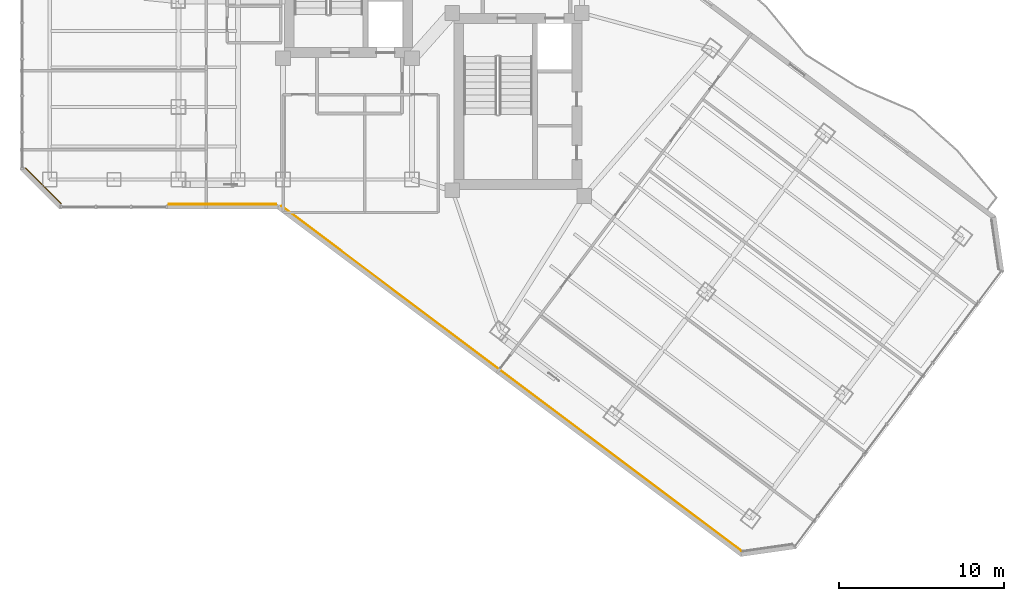
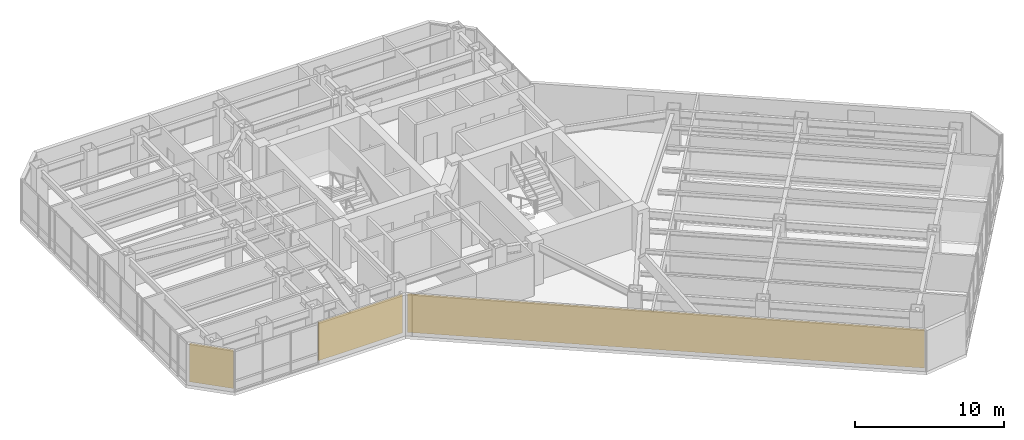
# One storey, part 27 of 31: 3 coverings.
"""IFC4 building model written with IfcOpenShell, lengths in metres."""

from ifc_helpers import new_model, si_unit, direction, frame, origin, origin_2d, place, context, subcontext, project, spatial, rectangle, extrude, material, layer, layer_set, type_object, element, save


model = new_model("IFC4")

# Units and contexts
model_context = context("Model", 3, precision=1e-05, world=origin(), true_north=direction((0.0, 1.0)))
body_context = subcontext(model_context, "Body", "Model", "MODEL_VIEW")
ifc_project = project(units=[si_unit("LENGTHUNIT", "METRE"), si_unit("AREAUNIT", "SQUARE_METRE"), si_unit("VOLUMEUNIT", "CUBIC_METRE"), si_unit("PLANEANGLEUNIT", "RADIAN"), si_unit("MASSUNIT", "GRAM", prefix="KILO")], contexts=[model_context])

# Site, building, storey
site_placement = place(None, origin())
site = spatial("IfcSite", under=ifc_project, at=site_placement, CompositionType="ELEMENT")
building_placement = place(site_placement, origin())
building = spatial("IfcBuilding", under=site, at=building_placement, Name="Hatsunagi Terrace Concourse", CompositionType="ELEMENT")
storey_placement = place(building_placement, frame((0.0, 0.0, 112.050048828125)))
storey = spatial("IfcBuildingStorey", under=building, at=storey_placement, Name="L29", CompositionType="ELEMENT", Elevation=112.050048828125)

# Coverings
ifc_material = material(Name="Unglazed Warm Terracotta Rainscreen Tile", Category="masonry")
ifc_layer = layer(ifc_material, 0.044921875)
ifc_layer_set = layer_set([ifc_layer], Name="TerracottaRainscreenCladding_45")
covering_type = type_object("IfcCoveringType", Name="TerracottaRainscreenCladding_45", PredefinedType="CLADDING", material=ifc_layer_set)
covering_1_placement = place(storey_placement, frame((39.3798828125, 13.14306640625, 0.10009765625), z_axis=(0.0, 0.0, 1.0), x_axis=(-0.800003116929, 0.599995844072, 0.0)))
element("IfcCovering", 1, at=covering_1_placement, inside=storey, type_object=covering_type, Name="Terracotta Rainscreen Cladding L29-05", PredefinedType="CLADDING", context=body_context, shape_type="SweptSolid", body=[
    extrude(rectangle(XDim=34.84912109375, YDim=0.044921875, at=origin_2d()), origin(), (0.0, 0.0, 1.0), 3.14990234375),
])
covering_2_placement = place(storey_placement, frame((21.873046875, 23.701904296875, 0.10009765625), z_axis=(0.0, 0.0, 1.0), x_axis=(-1.0, 0.0, 0.0)))
element("IfcCovering", 2, at=covering_2_placement, inside=storey, type_object=covering_type, Name="Terracotta Rainscreen Cladding L29-06", PredefinedType="CLADDING", context=body_context, shape_type="SweptSolid", body=[
    extrude(rectangle(XDim=6.507080078125, YDim=0.044921875, at=origin_2d()), origin(), (0.0, 0.0, 1.0), 3.14990234375),
])
covering_3_placement = place(storey_placement, frame((11.013916015625, 24.81396484375, 0.10009765625), z_axis=(0.0, 0.0, 1.0), x_axis=(-0.707106781187, 0.707106781187, 0.0)))
element("IfcCovering", 3, at=covering_3_placement, inside=storey, type_object=covering_type, Name="Terracotta Rainscreen Cladding L29-08", PredefinedType="CLADDING", context=body_context, shape_type="SweptSolid", body=[
    extrude(rectangle(XDim=3.0380859375, YDim=0.044921875, at=origin_2d()), origin(), (0.0, 0.0, 1.0), 3.14990234375),
])

save(model, "model.ifc")
